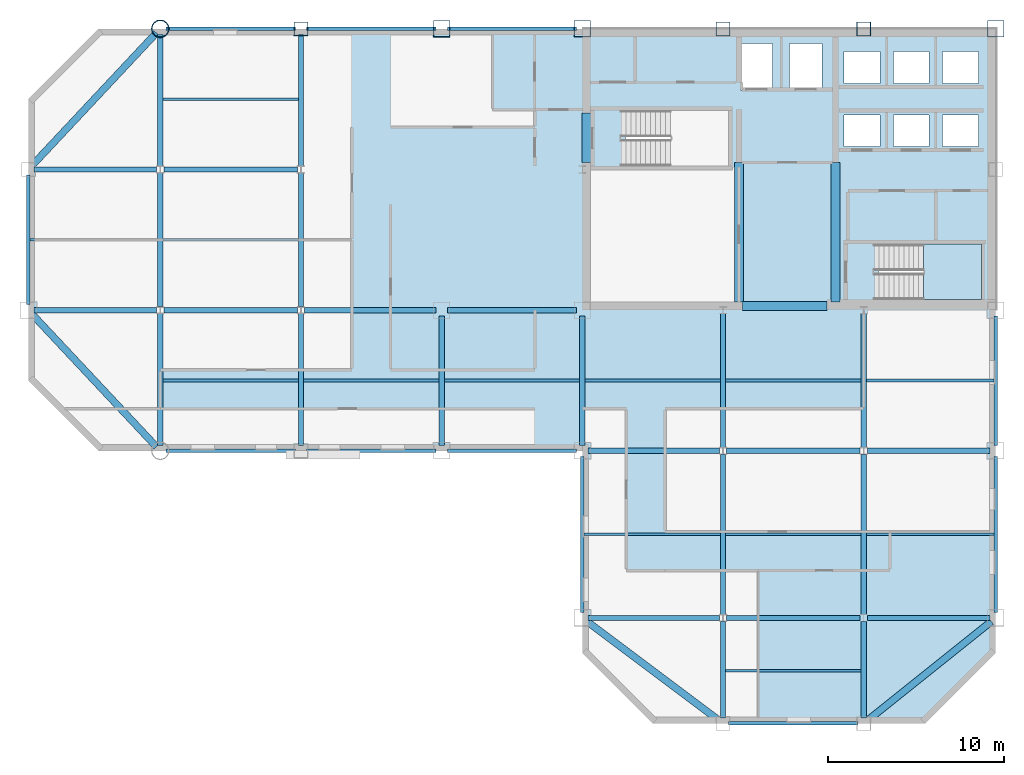
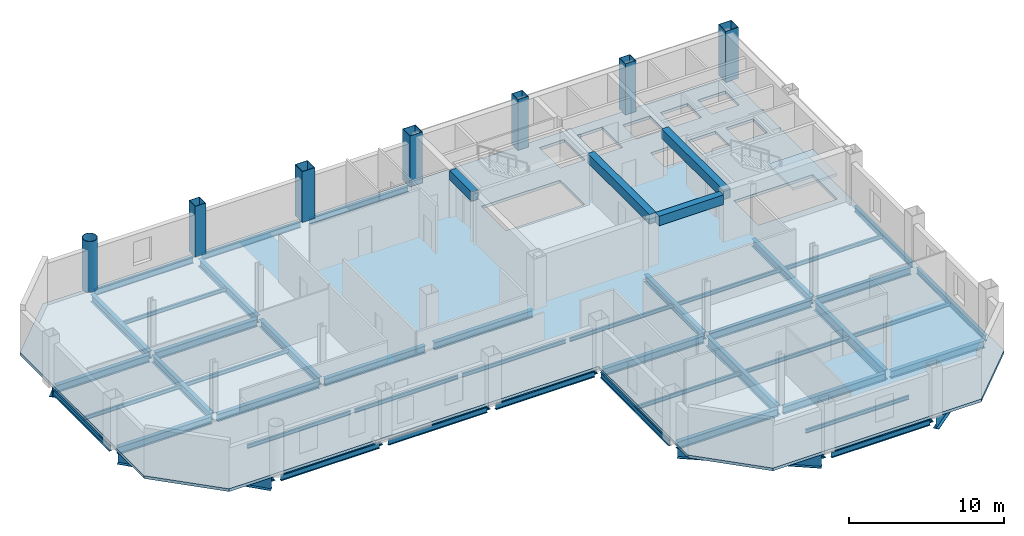
# One storey, part 3 of 10: 58 beams, 7 columns, 2 slabs, 1 element without a shape of its own.
"""IFC4 building model written with IfcOpenShell, lengths in metres."""

import ifcopenshell
import ifcopenshell.guid

model = None  # the IFC model being written
_history = None  # IfcOwnerHistory: only IFC2X3 demands one
_inside = {}  # id of a spatial element -> (the spatial element, [elements in it])
_under = {}  # id of a project, library or spatial element -> (it, [spatial elements below it])
_declared = {}  # id of a project -> (the project, [libraries it declares])
_typed = {}  # id of a type object -> (the type object, [elements of that type])
_made_of = {}  # id of a material, layer set ... -> (it, [elements and type objects made of it])


def new_model(schema):
    """Start an empty IFC model of exactly this schema.

    Asked for "IFC4X3", IfcOpenShell would pick the latest addendum, in which some entities
    have other attributes; the version numbers below select the first issue.
    IFC2X3 requires an IfcOwnerHistory on every rooted entity: one is made here for all.
    """
    global model, _history
    if schema == "IFC4X3":
        model = ifcopenshell.file(schema_version=(4, 3, 0, 0))
    else:
        model = ifcopenshell.file(schema=schema)
    _inside.clear()
    _under.clear()
    _declared.clear()
    _typed.clear()
    _made_of.clear()
    _history = None
    if model.schema == "IFC2X3":
        org = make("IfcOrganization", Name="unknown")
        user = make(
            "IfcPersonAndOrganization",
            ThePerson=make("IfcPerson", FamilyName="unknown"),
            TheOrganization=org,
        )
        app = make(
            "IfcApplication",
            ApplicationDeveloper=org,
            Version="unknown",
            ApplicationFullName="unknown",
            ApplicationIdentifier="unknown",
        )
        _history = make(
            "IfcOwnerHistory",
            OwningUser=user,
            OwningApplication=app,
            ChangeAction="ADDED",
            CreationDate=0,
        )
    return model


def make(cls, **values):
    """One entity of the class cls with the attributes given. An attribute that is None is left unset."""
    return model.create_entity(
        cls, **{name: value for name, value in values.items() if value is not None}
    )


def rooted(cls, **values):
    """An entity with a GlobalId (a new one), such as an element, a storey or a relation."""
    return make(cls, GlobalId=ifcopenshell.guid.new(), OwnerHistory=_history, **values)


def si_unit(unit_type, name, prefix=None):
    """IfcSIUnit, for example si_unit("LENGTHUNIT", "METRE", prefix="MILLI")."""
    return make("IfcSIUnit", UnitType=unit_type, Prefix=prefix, Name=name)


def assignment(units):
    """IfcUnitAssignment: the units of a project."""
    return None if units is None else make("IfcUnitAssignment", Units=units)


def point(xyz):
    """IfcCartesianPoint."""
    return None if xyz is None else make("IfcCartesianPoint", Coordinates=xyz)


def direction(xyz):
    """IfcDirection."""
    return None if xyz is None else make("IfcDirection", DirectionRatios=xyz)


def frame(location, z_axis=None, x_axis=None):
    """IfcAxis2Placement3D, a coordinate frame: its origin and axes. An axis left out is left unset."""
    return make(
        "IfcAxis2Placement3D",
        Location=point(location),
        Axis=direction(z_axis),
        RefDirection=direction(x_axis),
    )


def frame_2d(location, x_axis=None):
    """IfcAxis2Placement2D, a coordinate frame in the plane: its origin and x axis."""
    return make(
        "IfcAxis2Placement2D", Location=point(location), RefDirection=direction(x_axis)
    )


def origin():
    """The frame at (0, 0, 0) with its axes left unset."""
    return frame((0.0, 0.0, 0.0))


def origin_2d():
    """The frame at (0, 0) in the plane with its x axis left unset."""
    return frame_2d((0.0, 0.0))


def place(relative_to, where):
    """IfcLocalPlacement: puts the frame where relative to a parent placement (None: the world)."""
    return make(
        "IfcLocalPlacement", PlacementRelTo=relative_to, RelativePlacement=where
    )


def context(
    kind, dimensions, precision=None, world=None, true_north=None, identifier=None
):
    """IfcGeometricRepresentationContext, for example the 3D "Model" context."""
    return make(
        "IfcGeometricRepresentationContext",
        ContextIdentifier=identifier,
        ContextType=kind,
        CoordinateSpaceDimension=dimensions,
        Precision=precision,
        WorldCoordinateSystem=world,
        TrueNorth=true_north,
    )


def subcontext(parent, identifier, kind, view, scale=None):
    """IfcGeometricRepresentationSubContext, for example "Body" below "Model"."""
    return make(
        "IfcGeometricRepresentationSubContext",
        ContextIdentifier=identifier,
        ContextType=kind,
        ParentContext=parent,
        TargetScale=scale,
        TargetView=view,
    )


def project(units=None, contexts=None):
    """IfcProject with its units and contexts."""
    return rooted(
        "IfcProject",
        Name="project",
        RepresentationContexts=contexts,
        UnitsInContext=assignment(units),
    )


def spatial(cls, under=None, at=None, **own):
    """A site, building, storey or space (cls), placed at a placement, below another one or the project."""
    s = rooted(cls, ObjectPlacement=at, **own)
    if under is not None:
        _under.setdefault(under.id(), (under, []))[1].append(s)
    return s


def polyline(points):
    """IfcPolyline through the points."""
    return make("IfcPolyline", Points=[point(p) for p in points])


def profile(cls, at=None, kind="AREA", **sizes):
    """A parametric profile (cls). Its sizes go by their IFC names, for example OverallWidth=200.0."""
    return make(cls, ProfileType=kind, Position=at, **sizes)


def rectangle(**sizes):
    """IfcRectangleProfileDef."""
    return profile("IfcRectangleProfileDef", **sizes)


def hollow_rectangle(**sizes):
    """IfcRectangleHollowProfileDef."""
    return profile("IfcRectangleHollowProfileDef", **sizes)


def hollow_circle(**sizes):
    """IfcCircleHollowProfileDef."""
    return profile("IfcCircleHollowProfileDef", **sizes)


def i_section(**sizes):
    """IfcIShapeProfileDef."""
    return profile("IfcIShapeProfileDef", **sizes)


def outline(outer, holes=None, kind="AREA"):
    """IfcArbitraryClosedProfileDef: a profile drawn as a closed curve; with holes, ...WithVoids."""
    if holes is None:
        return make("IfcArbitraryClosedProfileDef", ProfileType=kind, OuterCurve=outer)
    return make(
        "IfcArbitraryProfileDefWithVoids",
        ProfileType=kind,
        OuterCurve=outer,
        InnerCurves=holes,
    )


def extrude(swept, where, along, depth):
    """IfcExtrudedAreaSolid: the profile swept, set in the frame where, extruded along a direction by depth."""
    return make(
        "IfcExtrudedAreaSolid",
        SweptArea=swept,
        Position=where,
        ExtrudedDirection=direction(along),
        Depth=depth,
    )


def shape(context_of_items, identifier, shape_type, items):
    """IfcShapeRepresentation: the items that make up one representation, for example the "Body"."""
    return make(
        "IfcShapeRepresentation",
        ContextOfItems=context_of_items,
        RepresentationIdentifier=identifier,
        RepresentationType=shape_type,
        Items=items,
    )


def material(Name=None, Category=None):
    """IfcMaterial."""
    return make("IfcMaterial", Name=Name, Category=Category)


def layer(
    of_material, thickness, ventilated=None, Name=None, Category=None, Priority=None
):
    """IfcMaterialLayer: one layer of a wall or slab, of a material (None: an air gap)."""
    return make(
        "IfcMaterialLayer",
        Material=of_material,
        LayerThickness=thickness,
        IsVentilated=ventilated,
        Name=Name,
        Category=Category,
        Priority=Priority,
    )


def layer_set(layers, Name=None):
    """IfcMaterialLayerSet."""
    return make("IfcMaterialLayerSet", MaterialLayers=layers, LayerSetName=Name)


def material_profile(
    of_material, cross_section, Name=None, Category=None, Priority=None
):
    """IfcMaterialProfile: a cross section and its material."""
    return make(
        "IfcMaterialProfile",
        Name=Name,
        Material=of_material,
        Profile=cross_section,
        Priority=Priority,
        Category=Category,
    )


def profile_set(profiles, Name=None, composite=None):
    """IfcMaterialProfileSet."""
    return make(
        "IfcMaterialProfileSet",
        Name=Name,
        MaterialProfiles=profiles,
        CompositeProfile=composite,
    )


def made_of(thing, what):
    """Note that an element or type object is made of a material, layer set ...; save() writes the relation."""
    if what is not None:
        _made_of.setdefault(what.id(), (what, []))[1].append(thing)
    return thing


def type_object(cls, material=None, **own):
    """A type object (cls), such as IfcWallType, which elements share."""
    return made_of(rooted(cls, **own), material)


def element(
    cls,
    number,
    at=None,
    inside=None,
    cuts=None,
    type_object=None,
    material=None,
    context=None,
    identifier="Body",
    shape_type=None,
    held_by="IfcProductDefinitionShape",
    body=None,
    shapes=None,
    **own,
):
    """One element of the class cls, such as IfcWall. Its Tag is "e" and its number.

    at: its placement. inside: the storey or other place that contains it. cuts: it is an
    opening in that element (IfcRelVoidsElement). A single representation is given by context,
    identifier, shape_type and body (its items); several are given by shapes. held_by: the class
    of the entity that holds the representations. save() writes the other relations.
    """
    e = rooted(cls, Tag="e%d" % number, ObjectPlacement=at, **own)
    if body is not None:
        shapes = [shape(context, identifier, shape_type, body)]
    if shapes is not None:
        e.Representation = make(held_by, Representations=shapes)
    if inside is not None:
        _inside.setdefault(inside.id(), (inside, []))[1].append(e)
    if cuts is not None:
        rooted(
            "IfcRelVoidsElement", RelatingBuildingElement=cuts, RelatedOpeningElement=e
        )
    if type_object is not None:
        _typed.setdefault(type_object.id(), (type_object, []))[1].append(e)
    return made_of(e, material)


def aggregate(whole, parts):
    """IfcRelAggregates: a whole, such as a stair, and the parts it consists of."""
    return rooted("IfcRelAggregates", RelatingObject=whole, RelatedObjects=parts)


def save(model, path):
    """Write the relations noted so far, then the file.

    IfcRelAggregates (storeys below a building ...), IfcRelContainedInSpatialStructure (elements
    in a storey), IfcRelDefinesByType, IfcRelAssociatesMaterial and IfcRelDeclares: one each for
    every whole, place, type object, material and project.
    """
    for whole, parts in _under.values():
        aggregate(whole, parts)
    for where, things in _inside.values():
        rooted(
            "IfcRelContainedInSpatialStructure",
            RelatedElements=things,
            RelatingStructure=where,
        )
    for kind, things in _typed.values():
        rooted("IfcRelDefinesByType", RelatedObjects=things, RelatingType=kind)
    for what, things in _made_of.values():
        rooted("IfcRelAssociatesMaterial", RelatedObjects=things, RelatingMaterial=what)
    for by, libraries in _declared.values():
        rooted("IfcRelDeclares", RelatingContext=by, RelatedDefinitions=libraries)
    model.write(path)


model = new_model("IFC4")

# Units and contexts
model_context = context("Model", 3, precision=1e-05, world=origin(), true_north=direction((0.0, 1.0)))
body_context = subcontext(model_context, "Body", "Model", "MODEL_VIEW")
ifc_project = project(units=[si_unit("LENGTHUNIT", "METRE"), si_unit("AREAUNIT", "SQUARE_METRE"), si_unit("VOLUMEUNIT", "CUBIC_METRE"), si_unit("PLANEANGLEUNIT", "RADIAN"), si_unit("MASSUNIT", "GRAM", prefix="KILO")], contexts=[model_context])

# Site, building, storey
site_placement = place(None, origin())
site = spatial("IfcSite", under=ifc_project, at=site_placement, CompositionType="ELEMENT")
building_placement = place(site_placement, origin())
building = spatial("IfcBuilding", under=site, at=building_placement, Name="Qianrong Seaharbour Tower", CompositionType="ELEMENT")
storey_placement = place(building_placement, frame((0.0, 0.0, 229.800048828125)))
storey = spatial("IfcBuildingStorey", under=building, at=storey_placement, Name="L55", CompositionType="ELEMENT", Elevation=229.800048828125)

# Columns
ifc_material_1 = material(Name="Structural steel SN490B", Category="steel")
ifc_material_profile_1 = material_profile(ifc_material_1, hollow_rectangle(XDim=0.949951171875, YDim=0.949951171875, WallThickness=0.035888671875, at=origin_2d()), Name="BOX950x950x36")
ifc_profile_set_1 = profile_set([ifc_material_profile_1], Name="Structural steel SN490B")
column_type_1 = type_object("IfcColumnType", Name="COL-CFT-950", PredefinedType="COLUMN", material=ifc_profile_set_1)
for number, where, z_axis, x_axis, name in (
    (1, (32.5, 52.0, 0.0), (0.0, 0.0, 1.0), (1.0, 0.0, 0.0), "L55 Column MC-4 at G5/GH"),
    (2, (40.5, 52.0, 0.0), (0.0, 0.0, 1.0), (1.0, 0.0, 0.0), "L55 Column MC-4 at G6/GH"),
    (3, (64.0, 52.0, 0.0), (0.0, 0.0, 1.0), (1.0, 0.0, 0.0), "L55 Column MC-4 at G9/GH"),
):
    element("IfcColumn", number, at=place(storey_placement, frame(where, z_axis=z_axis, x_axis=x_axis)), inside=storey, type_object=column_type_1, Name=name, PredefinedType="COLUMN", context=body_context, shape_type="SweptSolid", body=[
        extrude(hollow_rectangle(XDim=0.949951171875, YDim=0.949951171875, WallThickness=0.035888671875, at=origin_2d()), origin(), (0.0, 0.0, 1.0), 4.0),
    ])
ifc_material_profile_2 = material_profile(ifc_material_1, hollow_circle(Radius=0.5, WallThickness=0.035888671875, at=origin_2d()), Name="CHS1000x36")
ifc_profile_set_2 = profile_set([ifc_material_profile_2], Name="Structural steel SN490B")
column_type_2 = type_object("IfcColumnType", Name="COL-CHS-1000", PredefinedType="COLUMN", material=ifc_profile_set_2)
column_placement = place(storey_placement, frame((16.5, 52.0, 0.0), z_axis=(0.0, 0.0, 1.0), x_axis=(1.0, 0.0, 0.0)))
element("IfcColumn", 4, at=column_placement, inside=storey, type_object=column_type_2, Name="L55 Column CC-2 at G3/GH", PredefinedType="COLUMN", context=body_context, shape_type="SweptSolid", body=[
    extrude(hollow_circle(Radius=0.5, WallThickness=0.035888671875, at=origin_2d()), origin(), (0.0, 0.0, 1.0), 4.0),
])
ifc_material_profile_3 = material_profile(ifc_material_1, hollow_rectangle(XDim=0.800048828125, YDim=0.800048828125, WallThickness=0.031982421875, at=origin_2d()), Name="BOX800x800x32")
ifc_profile_set_3 = profile_set([ifc_material_profile_3], Name="Structural steel SN490B")
column_type_3 = type_object("IfcColumnType", Name="COL-PER-800", PredefinedType="COLUMN", material=ifc_profile_set_3)
for number, where, z_axis, x_axis, name in (
    (5, (24.5, 52.0, 0.0), (0.0, 0.0, 1.0), (1.0, 0.0, 0.0), "L55 Column PC-3 at G4/GH"),
    (6, (48.5, 52.0, 0.0), (0.0, 0.0, 1.0), (1.0, 0.0, 0.0), "L55 Column PC-3 at G7/GH"),
    (7, (56.5, 52.0, 0.0), (0.0, 0.0, 1.0), (1.0, 0.0, 0.0), "L55 Column PC-3 at G8/GH"),
):
    element("IfcColumn", number, at=place(storey_placement, frame(where, z_axis=z_axis, x_axis=x_axis)), inside=storey, type_object=column_type_3, Name=name, PredefinedType="COLUMN", context=body_context, shape_type="SweptSolid", body=[
        extrude(hollow_rectangle(XDim=0.800048828125, YDim=0.800048828125, WallThickness=0.031982421875, at=origin_2d()), origin(), (0.0, 0.0, 1.0), 4.0),
    ])

# Beams
ifc_material_profile_4 = material_profile(ifc_material_1, i_section(OverallWidth=0.300048828125, OverallDepth=0.587890625, WebThickness=0.011962890625, FlangeThickness=0.02001953125, FilletRadius=0.02392578125, at=origin_2d()), Name="H588x300x12x20")
ifc_profile_set_4 = profile_set([ifc_material_profile_4], Name="Structural steel SN490B")
beam_type_1 = type_object("IfcBeamType", Name="BM-G-588", PredefinedType="BEAM", material=ifc_profile_set_4)
beam_1_placement = place(storey_placement, frame((40.820068359375, 18.5, -0.51904296875), z_axis=(1.0, 0.0, 0.0), x_axis=(0.0, 1.0, 0.0)))
element("IfcBeam", 8, at=beam_1_placement, inside=storey, type_object=beam_type_1, Name="L55 Primary Girder GD G6-G7", PredefinedType="BEAM", context=body_context, shape_type="SweptSolid", body=[
    extrude(i_section(OverallWidth=0.300048828125, OverallDepth=0.587890625, WebThickness=0.011962890625, FlangeThickness=0.02001953125, FilletRadius=0.02392578125, at=origin_2d()), origin(), (0.0, 0.0, 1.0), 7.47998046875),
])
beam_2_placement = place(storey_placement, frame((48.699951171875, 18.5, -0.51904296875), z_axis=(1.0, 0.0, 0.0), x_axis=(0.0, 1.0, 0.0)))
element("IfcBeam", 9, at=beam_2_placement, inside=storey, type_object=beam_type_1, Name="L55 Primary Girder GD G7-G8", PredefinedType="BEAM", context=body_context, shape_type="SweptSolid", body=[
    extrude(i_section(OverallWidth=0.300048828125, OverallDepth=0.587890625, WebThickness=0.011962890625, FlangeThickness=0.02001953125, FilletRadius=0.02392578125, at=origin_2d()), origin(), (0.0, 0.0, 1.0), 7.60009765625),
])
beam_3_placement = place(storey_placement, frame((56.699951171875, 18.5, -0.51904296875), z_axis=(1.0, 0.0, 0.0), x_axis=(0.0, 1.0, 0.0)))
element("IfcBeam", 10, at=beam_3_placement, inside=storey, type_object=beam_type_1, Name="L55 Primary Girder GD G8-G9", PredefinedType="BEAM", context=body_context, shape_type="SweptSolid", body=[
    extrude(i_section(OverallWidth=0.300048828125, OverallDepth=0.587890625, WebThickness=0.011962890625, FlangeThickness=0.02001953125, FilletRadius=0.02392578125, at=origin_2d()), origin(), (0.0, 0.0, 1.0), 6.97998046875),
])
beam_4_placement = place(storey_placement, frame((40.820068359375, 28.0, -0.51904296875), z_axis=(1.0, 0.0, 0.0), x_axis=(0.0, 1.0, 0.0)))
element("IfcBeam", 11, at=beam_4_placement, inside=storey, type_object=beam_type_1, Name="L55 Primary Girder GE G6-G7", PredefinedType="BEAM", context=body_context, shape_type="SweptSolid", body=[
    extrude(i_section(OverallWidth=0.300048828125, OverallDepth=0.587890625, WebThickness=0.011962890625, FlangeThickness=0.02001953125, FilletRadius=0.02392578125, at=origin_2d()), origin(), (0.0, 0.0, 1.0), 7.47998046875),
])
beam_5_placement = place(storey_placement, frame((48.699951171875, 28.0, -0.51904296875), z_axis=(1.0, 0.0, 0.0), x_axis=(0.0, 1.0, 0.0)))
element("IfcBeam", 12, at=beam_5_placement, inside=storey, type_object=beam_type_1, Name="L55 Primary Girder GE G7-G8", PredefinedType="BEAM", context=body_context, shape_type="SweptSolid", body=[
    extrude(i_section(OverallWidth=0.300048828125, OverallDepth=0.587890625, WebThickness=0.011962890625, FlangeThickness=0.02001953125, FilletRadius=0.02392578125, at=origin_2d()), origin(), (0.0, 0.0, 1.0), 7.60009765625),
])
for number, where, z_axis, x_axis, name in (
    (13, (56.699951171875, 28.0, -0.51904296875), (1.0, 0.0, 0.0), (0.0, 1.0, 0.0), "L55 Primary Girder GE G8-G9"),
    (14, (9.320068359375, 36.0, -0.51904296875), (1.0, 0.0, 0.0), (0.0, 1.0, 0.0), "L55 Primary Girder GF G2-G3"),
):
    element("IfcBeam", number, at=place(storey_placement, frame(where, z_axis=z_axis, x_axis=x_axis)), inside=storey, type_object=beam_type_1, Name=name, PredefinedType="BEAM", context=body_context, shape_type="SweptSolid", body=[
        extrude(i_section(OverallWidth=0.300048828125, OverallDepth=0.587890625, WebThickness=0.011962890625, FlangeThickness=0.02001953125, FilletRadius=0.02392578125, at=origin_2d()), origin(), (0.0, 0.0, 1.0), 6.97998046875),
    ])
beam_6_placement = place(storey_placement, frame((16.699951171875, 36.0, -0.51904296875), z_axis=(1.0, 0.0, 0.0), x_axis=(0.0, 1.0, 0.0)))
element("IfcBeam", 15, at=beam_6_placement, inside=storey, type_object=beam_type_1, Name="L55 Primary Girder GF G3-G4", PredefinedType="BEAM", context=body_context, shape_type="SweptSolid", body=[
    extrude(i_section(OverallWidth=0.300048828125, OverallDepth=0.587890625, WebThickness=0.011962890625, FlangeThickness=0.02001953125, FilletRadius=0.02392578125, at=origin_2d()), origin(), (0.0, 0.0, 1.0), 7.60009765625),
])
beam_7_placement = place(storey_placement, frame((24.699951171875, 36.0, -0.51904296875), z_axis=(1.0, 0.0, 0.0), x_axis=(0.0, 1.0, 0.0)))
element("IfcBeam", 16, at=beam_7_placement, inside=storey, type_object=beam_type_1, Name="L55 Primary Girder GF G4-G5", PredefinedType="BEAM", context=body_context, shape_type="SweptSolid", body=[
    extrude(i_section(OverallWidth=0.300048828125, OverallDepth=0.587890625, WebThickness=0.011962890625, FlangeThickness=0.02001953125, FilletRadius=0.02392578125, at=origin_2d()), origin(), (0.0, 0.0, 1.0), 7.47998046875),
])
beam_8_placement = place(storey_placement, frame((32.820068359375, 36.0, -0.51904296875), z_axis=(1.0, 0.0, 0.0), x_axis=(0.0, 1.0, 0.0)))
element("IfcBeam", 17, at=beam_8_placement, inside=storey, type_object=beam_type_1, Name="L55 Primary Girder GF G5-G6", PredefinedType="BEAM", context=body_context, shape_type="SweptSolid", body=[
    extrude(i_section(OverallWidth=0.300048828125, OverallDepth=0.587890625, WebThickness=0.011962890625, FlangeThickness=0.02001953125, FilletRadius=0.02392578125, at=origin_2d()), origin(), (0.0, 0.0, 1.0), 7.35986328125),
])
beam_9_placement = place(storey_placement, frame((9.320068359375, 44.0, -0.51904296875), z_axis=(1.0, 0.0, 0.0), x_axis=(0.0, 1.0, 0.0)))
element("IfcBeam", 18, at=beam_9_placement, inside=storey, type_object=beam_type_1, Name="L55 Primary Girder GG G2-G3", PredefinedType="BEAM", context=body_context, shape_type="SweptSolid", body=[
    extrude(i_section(OverallWidth=0.300048828125, OverallDepth=0.587890625, WebThickness=0.011962890625, FlangeThickness=0.02001953125, FilletRadius=0.02392578125, at=origin_2d()), origin(), (0.0, 0.0, 1.0), 6.97998046875),
])
beam_10_placement = place(storey_placement, frame((16.699951171875, 44.0, -0.51904296875), z_axis=(1.0, 0.0, 0.0), x_axis=(0.0, 1.0, 0.0)))
element("IfcBeam", 19, at=beam_10_placement, inside=storey, type_object=beam_type_1, Name="L55 Primary Girder GG G3-G4", PredefinedType="BEAM", context=body_context, shape_type="SweptSolid", body=[
    extrude(i_section(OverallWidth=0.300048828125, OverallDepth=0.587890625, WebThickness=0.011962890625, FlangeThickness=0.02001953125, FilletRadius=0.02392578125, at=origin_2d()), origin(), (0.0, 0.0, 1.0), 7.60009765625),
])
beam_11_placement = place(storey_placement, frame((16.5, 28.320068359375, -0.51904296875), z_axis=(0.0, 1.0, 0.0), x_axis=(-1.0, 0.0, 0.0)))
element("IfcBeam", 20, at=beam_11_placement, inside=storey, type_object=beam_type_1, Name="L55 Primary Girder G3 GE-GF", PredefinedType="BEAM", context=body_context, shape_type="SweptSolid", body=[
    extrude(i_section(OverallWidth=0.300048828125, OverallDepth=0.587890625, WebThickness=0.011962890625, FlangeThickness=0.02001953125, FilletRadius=0.02392578125, at=origin_2d()), origin(), (0.0, 0.0, 1.0), 7.47998046875),
])
beam_12_placement = place(storey_placement, frame((16.5, 36.199951171875, -0.51904296875), z_axis=(0.0, 1.0, 0.0), x_axis=(-1.0, 0.0, 0.0)))
element("IfcBeam", 21, at=beam_12_placement, inside=storey, type_object=beam_type_1, Name="L55 Primary Girder G3 GF-GG", PredefinedType="BEAM", context=body_context, shape_type="SweptSolid", body=[
    extrude(i_section(OverallWidth=0.300048828125, OverallDepth=0.587890625, WebThickness=0.011962890625, FlangeThickness=0.02001953125, FilletRadius=0.02392578125, at=origin_2d()), origin(), (0.0, 0.0, 1.0), 7.60009765625),
])
for number, where, z_axis, x_axis, name in (
    (22, (16.5, 44.199951171875, -0.51904296875), (0.0, 1.0, 0.0), (-1.0, 0.0, 0.0), "L55 Primary Girder G3 GG-GH"),
    (23, (24.5, 28.320068359375, -0.51904296875), (0.0, 1.0, 0.0), (-1.0, 0.0, 0.0), "L55 Primary Girder G4 GE-GF"),
):
    element("IfcBeam", number, at=place(storey_placement, frame(where, z_axis=z_axis, x_axis=x_axis)), inside=storey, type_object=beam_type_1, Name=name, PredefinedType="BEAM", context=body_context, shape_type="SweptSolid", body=[
        extrude(i_section(OverallWidth=0.300048828125, OverallDepth=0.587890625, WebThickness=0.011962890625, FlangeThickness=0.02001953125, FilletRadius=0.02392578125, at=origin_2d()), origin(), (0.0, 0.0, 1.0), 7.47998046875),
    ])
beam_13_placement = place(storey_placement, frame((24.5, 36.199951171875, -0.51904296875), z_axis=(0.0, 1.0, 0.0), x_axis=(-1.0, 0.0, 0.0)))
element("IfcBeam", 24, at=beam_13_placement, inside=storey, type_object=beam_type_1, Name="L55 Primary Girder G4 GF-GG", PredefinedType="BEAM", context=body_context, shape_type="SweptSolid", body=[
    extrude(i_section(OverallWidth=0.300048828125, OverallDepth=0.587890625, WebThickness=0.011962890625, FlangeThickness=0.02001953125, FilletRadius=0.02392578125, at=origin_2d()), origin(), (0.0, 0.0, 1.0), 7.60009765625),
])
beam_14_placement = place(storey_placement, frame((24.5, 44.199951171875, -0.51904296875), z_axis=(0.0, 1.0, 0.0), x_axis=(-1.0, 0.0, 0.0)))
element("IfcBeam", 25, at=beam_14_placement, inside=storey, type_object=beam_type_1, Name="L55 Primary Girder G4 GG-GH", PredefinedType="BEAM", context=body_context, shape_type="SweptSolid", body=[
    extrude(i_section(OverallWidth=0.300048828125, OverallDepth=0.587890625, WebThickness=0.011962890625, FlangeThickness=0.02001953125, FilletRadius=0.02392578125, at=origin_2d()), origin(), (0.0, 0.0, 1.0), 7.47998046875),
])
for number, where, z_axis, x_axis, name in (
    (26, (32.5, 28.320068359375, -0.51904296875), (0.0, 1.0, 0.0), (-1.0, 0.0, 0.0), "L55 Primary Girder G5 GE-GF"),
    (27, (40.5, 28.320068359375, -0.51904296875), (0.0, 1.0, 0.0), (-1.0, 0.0, 0.0), "L55 Primary Girder G6 GE-GF"),
):
    element("IfcBeam", number, at=place(storey_placement, frame(where, z_axis=z_axis, x_axis=x_axis)), inside=storey, type_object=beam_type_1, Name=name, PredefinedType="BEAM", context=body_context, shape_type="SweptSolid", body=[
        extrude(i_section(OverallWidth=0.300048828125, OverallDepth=0.587890625, WebThickness=0.011962890625, FlangeThickness=0.02001953125, FilletRadius=0.02392578125, at=origin_2d()), origin(), (0.0, 0.0, 1.0), 7.35986328125),
    ])
beam_15_placement = place(storey_placement, frame((48.5, 12.820068359375, -0.51904296875), z_axis=(0.0, 1.0, 0.0), x_axis=(-1.0, 0.0, 0.0)))
element("IfcBeam", 28, at=beam_15_placement, inside=storey, type_object=beam_type_1, Name="L55 Primary Girder G7 GC-GD", PredefinedType="BEAM", context=body_context, shape_type="SweptSolid", body=[
    extrude(i_section(OverallWidth=0.300048828125, OverallDepth=0.587890625, WebThickness=0.011962890625, FlangeThickness=0.02001953125, FilletRadius=0.02392578125, at=origin_2d()), origin(), (0.0, 0.0, 1.0), 5.47998046875),
])
beam_16_placement = place(storey_placement, frame((48.5, 28.199951171875, -0.51904296875), z_axis=(0.0, 1.0, 0.0), x_axis=(-1.0, 0.0, 0.0)))
element("IfcBeam", 29, at=beam_16_placement, inside=storey, type_object=beam_type_1, Name="L55 Primary Girder G7 GE-GF", PredefinedType="BEAM", context=body_context, shape_type="SweptSolid", body=[
    extrude(i_section(OverallWidth=0.300048828125, OverallDepth=0.587890625, WebThickness=0.011962890625, FlangeThickness=0.02001953125, FilletRadius=0.02392578125, at=origin_2d()), origin(), (0.0, 0.0, 1.0), 7.60009765625),
])
beam_17_placement = place(storey_placement, frame((56.5, 12.820068359375, -0.51904296875), z_axis=(0.0, 1.0, 0.0), x_axis=(-1.0, 0.0, 0.0)))
element("IfcBeam", 30, at=beam_17_placement, inside=storey, type_object=beam_type_1, Name="L55 Primary Girder G8 GC-GD", PredefinedType="BEAM", context=body_context, shape_type="SweptSolid", body=[
    extrude(i_section(OverallWidth=0.300048828125, OverallDepth=0.587890625, WebThickness=0.011962890625, FlangeThickness=0.02001953125, FilletRadius=0.02392578125, at=origin_2d()), origin(), (0.0, 0.0, 1.0), 5.47998046875),
])
beam_18_placement = place(storey_placement, frame((56.5, 28.199951171875, -0.51904296875), z_axis=(0.0, 1.0, 0.0), x_axis=(-1.0, 0.0, 0.0)))
element("IfcBeam", 31, at=beam_18_placement, inside=storey, type_object=beam_type_1, Name="L55 Primary Girder G8 GE-GF", PredefinedType="BEAM", context=body_context, shape_type="SweptSolid", body=[
    extrude(i_section(OverallWidth=0.300048828125, OverallDepth=0.587890625, WebThickness=0.011962890625, FlangeThickness=0.02001953125, FilletRadius=0.02392578125, at=origin_2d()), origin(), (0.0, 0.0, 1.0), 7.60009765625),
])
ifc_material_profile_5 = material_profile(ifc_material_1, i_section(OverallWidth=0.300048828125, OverallDepth=0.800048828125, WebThickness=0.013916015625, FlangeThickness=0.02587890625, FilletRadius=0.028076171875, at=origin_2d()), Name="H800x300x14x26")
ifc_profile_set_5 = profile_set([ifc_material_profile_5], Name="Structural steel SN490B")
beam_type_2 = type_object("IfcBeamType", Name="BM-G-800", PredefinedType="BEAM", material=ifc_profile_set_5)
for number, where, z_axis, x_axis, name in (
    (32, (48.5, 18.699951171875, -0.625), (0.0, 1.0, 0.0), (-1.0, 0.0, 0.0), "L55 Primary Girder G7 GD-GE"),
    (33, (56.5, 18.699951171875, -0.625), (0.0, 1.0, 0.0), (-1.0, 0.0, 0.0), "L55 Primary Girder G8 GD-GE"),
):
    element("IfcBeam", number, at=place(storey_placement, frame(where, z_axis=z_axis, x_axis=x_axis)), inside=storey, type_object=beam_type_2, Name=name, PredefinedType="BEAM", context=body_context, shape_type="SweptSolid", body=[
        extrude(i_section(OverallWidth=0.300048828125, OverallDepth=0.800048828125, WebThickness=0.013916015625, FlangeThickness=0.02587890625, FilletRadius=0.028076171875, at=origin_2d()), origin(), (0.0, 0.0, 1.0), 9.10009765625),
    ])
ifc_material_2 = material(Name="Structural steel SN400B", Category="steel")
ifc_material_profile_6 = material_profile(ifc_material_2, i_section(OverallWidth=0.14990234375, OverallDepth=0.300048828125, WebThickness=0.006591796875, FlangeThickness=0.009033203125, FilletRadius=0.012939453125, at=origin_2d()), Name="H300x150x6.5x9")
ifc_profile_set_6 = profile_set([ifc_material_profile_6], Name="Structural steel SN400B")
beam_type_3 = type_object("IfcBeamType", Name="BM-J-300", PredefinedType="JOIST", material=ifc_profile_set_6)
beam_19_placement = place(storey_placement, frame((9.10009765625, 40.0, -0.375), z_axis=(1.0, 0.0, 0.0), x_axis=(0.0, 1.0, 0.0)))
element("IfcBeam", 34, at=beam_19_placement, inside=storey, type_object=beam_type_3, Name="L55 Composite Floor Joist G2-G3/GF-GG", PredefinedType="JOIST", context=body_context, shape_type="SweptSolid", body=[
    extrude(i_section(OverallWidth=0.14990234375, OverallDepth=0.300048828125, WebThickness=0.006591796875, FlangeThickness=0.009033203125, FilletRadius=0.012939453125, at=origin_2d()), origin(), (0.0, 0.0, 1.0), 7.25),
])
for number, where, z_axis, x_axis, name in (
    (35, (16.64990234375, 32.0, -0.375), (1.0, 0.0, 0.0), (0.0, 1.0, 0.0), "L55 Composite Floor Joist G3-G4/GE-GF"),
    (36, (16.64990234375, 40.0, -0.375), (1.0, 0.0, 0.0), (0.0, 1.0, 0.0), "L55 Composite Floor Joist G3-G4/GF-GG"),
    (37, (16.64990234375, 48.0, -0.375), (1.0, 0.0, 0.0), (0.0, 1.0, 0.0), "L55 Composite Floor Joist G3-G4/GG-GH"),
    (38, (24.64990234375, 32.0, -0.375), (1.0, 0.0, 0.0), (0.0, 1.0, 0.0), "L55 Composite Floor Joist G4-G5/GE-GF"),
    (39, (32.64990234375, 32.0, -0.375), (1.0, 0.0, 0.0), (0.0, 1.0, 0.0), "L55 Composite Floor Joist G5-G6/GE-GF"),
):
    element("IfcBeam", number, at=place(storey_placement, frame(where, z_axis=z_axis, x_axis=x_axis)), inside=storey, type_object=beam_type_3, Name=name, PredefinedType="JOIST", context=body_context, shape_type="SweptSolid", body=[
        extrude(i_section(OverallWidth=0.14990234375, OverallDepth=0.300048828125, WebThickness=0.006591796875, FlangeThickness=0.009033203125, FilletRadius=0.012939453125, at=origin_2d()), origin(), (0.0, 0.0, 1.0), 7.7001953125),
    ])
beam_20_placement = place(storey_placement, frame((40.60009765625, 23.25, -0.375), z_axis=(1.0, 0.0, 0.0), x_axis=(0.0, 1.0, 0.0)))
element("IfcBeam", 40, at=beam_20_placement, inside=storey, type_object=beam_type_3, Name="L55 Composite Floor Joist G6-G7/GD-GE", PredefinedType="JOIST", context=body_context, shape_type="SweptSolid", body=[
    extrude(i_section(OverallWidth=0.14990234375, OverallDepth=0.300048828125, WebThickness=0.006591796875, FlangeThickness=0.009033203125, FilletRadius=0.012939453125, at=origin_2d()), origin(), (0.0, 0.0, 1.0), 7.75),
])
for number, where, z_axis, x_axis, name in (
    (41, (40.64990234375, 32.0, -0.375), (1.0, 0.0, 0.0), (0.0, 1.0, 0.0), "L55 Composite Floor Joist G6-G7/GE-GF"),
    (42, (48.64990234375, 15.5, -0.375), (1.0, 0.0, 0.0), (0.0, 1.0, 0.0), "L55 Composite Floor Joist G7-G8/GC-GD"),
    (43, (48.64990234375, 23.25, -0.375), (1.0, 0.0, 0.0), (0.0, 1.0, 0.0), "L55 Composite Floor Joist G7-G8/GD-GE"),
    (44, (48.64990234375, 32.0, -0.375), (1.0, 0.0, 0.0), (0.0, 1.0, 0.0), "L55 Composite Floor Joist G7-G8/GE-GF"),
):
    element("IfcBeam", number, at=place(storey_placement, frame(where, z_axis=z_axis, x_axis=x_axis)), inside=storey, type_object=beam_type_3, Name=name, PredefinedType="JOIST", context=body_context, shape_type="SweptSolid", body=[
        extrude(i_section(OverallWidth=0.14990234375, OverallDepth=0.300048828125, WebThickness=0.006591796875, FlangeThickness=0.009033203125, FilletRadius=0.012939453125, at=origin_2d()), origin(), (0.0, 0.0, 1.0), 7.7001953125),
    ])
for number, where, z_axis, x_axis, name in (
    (45, (56.64990234375, 23.25, -0.375), (1.0, 0.0, 0.0), (0.0, 1.0, 0.0), "L55 Composite Floor Joist G8-G9/GD-GE"),
    (46, (56.64990234375, 32.0, -0.375), (1.0, 0.0, 0.0), (0.0, 1.0, 0.0), "L55 Composite Floor Joist G8-G9/GE-GF"),
):
    element("IfcBeam", number, at=place(storey_placement, frame(where, z_axis=z_axis, x_axis=x_axis)), inside=storey, type_object=beam_type_3, Name=name, PredefinedType="JOIST", context=body_context, shape_type="SweptSolid", body=[
        extrude(i_section(OverallWidth=0.14990234375, OverallDepth=0.300048828125, WebThickness=0.006591796875, FlangeThickness=0.009033203125, FilletRadius=0.012939453125, at=origin_2d()), origin(), (0.0, 0.0, 1.0), 7.25),
    ])
ifc_material_3 = material(Name="Concrete C60/75", Category="concrete")
ifc_material_profile_7 = material_profile(ifc_material_3, rectangle(XDim=0.5, YDim=0.75, at=origin_2d()), Name="RC500x750")
ifc_profile_set_7 = profile_set([ifc_material_profile_7], Name="Concrete C60/75")
beam_type_4 = type_object("IfcBeamType", Name="BM-LINTEL-750", PredefinedType="LINTEL", material=ifc_profile_set_7)
beam_21_placement = place(storey_placement, frame((40.72998046875, 44.39990234375, 3.39990234375), z_axis=(0.0, 1.0, 0.0), x_axis=(-1.0, 0.0, 0.0)))
element("IfcBeam", 47, at=beam_21_placement, inside=storey, type_object=beam_type_4, Name="L55 Core Coupling Lintel Beam West", PredefinedType="LINTEL", context=body_context, shape_type="SweptSolid", body=[
    extrude(rectangle(XDim=0.5, YDim=0.75, at=origin_2d()), origin(), (0.0, 0.0, 1.0), 2.800048828125),
])
beam_22_placement = place(storey_placement, frame((49.60009765625, 36.22998046875, 3.39990234375), z_axis=(1.0, 0.0, 0.0), x_axis=(0.0, 1.0, 0.0)))
element("IfcBeam", 48, at=beam_22_placement, inside=storey, type_object=beam_type_4, Name="L55 Core Coupling Lintel Beam CBC", PredefinedType="LINTEL", context=body_context, shape_type="SweptSolid", body=[
    extrude(rectangle(XDim=0.5, YDim=0.75, at=origin_2d()), origin(), (0.0, 0.0, 1.0), 4.7998046875),
])
for number, where, z_axis, x_axis, name in (
    (49, (49.39990234375, 36.4599609375, 3.39990234375), (0.0, 1.0, 0.0), (-1.0, 0.0, 0.0), "L55 Internal Core Coupling Beam IW1"),
    (50, (54.89990234375, 36.4599609375, 3.39990234375), (0.0, 1.0, 0.0), (-1.0, 0.0, 0.0), "L55 Internal Core Coupling Beam IW2"),
):
    element("IfcBeam", number, at=place(storey_placement, frame(where, z_axis=z_axis, x_axis=x_axis)), inside=storey, type_object=beam_type_4, Name=name, PredefinedType="LINTEL", context=body_context, shape_type="SweptSolid", body=[
        extrude(rectangle(XDim=0.5, YDim=0.75, at=origin_2d()), origin(), (0.0, 0.0, 1.0), 7.93994140625),
    ])
ifc_material_profile_8 = material_profile(ifc_material_2, i_section(OverallWidth=0.199951171875, OverallDepth=0.449951171875, WebThickness=0.009033203125, FlangeThickness=0.013916015625, FilletRadius=0.01806640625, at=origin_2d()), Name="H450x200x9x14")
ifc_profile_set_8 = profile_set([ifc_material_profile_8], Name="Structural steel SN400B")
beam_type_5 = type_object("IfcBeamType", Name="BM-SP-450", PredefinedType="SPANDREL", material=ifc_profile_set_8)
for number, where, z_axis, x_axis, name in (
    (51, (48.820068359375, 12.5, -0.449951171875), (1.0, 0.0, 0.0), (0.0, 1.0, 0.0), "L55 Spandrel Girder GC G7-G8"),
    (52, (16.820068359375, 28.0, -0.449951171875), (1.0, 0.0, 0.0), (0.0, 1.0, 0.0), "L55 Spandrel Girder GE G3-G4"),
    (53, (24.820068359375, 28.0, -0.449951171875), (1.0, 0.0, 0.0), (0.0, 1.0, 0.0), "L55 Spandrel Girder GE G4-G5"),
    (54, (32.820068359375, 28.0, -0.449951171875), (1.0, 0.0, 0.0), (0.0, 1.0, 0.0), "L55 Spandrel Girder GE G5-G6"),
    (55, (16.820068359375, 52.0, -0.449951171875), (1.0, 0.0, 0.0), (0.0, 1.0, 0.0), "L55 Spandrel Girder GH G3-G4"),
    (56, (24.820068359375, 52.0, -0.449951171875), (1.0, 0.0, 0.0), (0.0, 1.0, 0.0), "L55 Spandrel Girder GH G4-G5"),
    (57, (32.820068359375, 52.0, -0.449951171875), (1.0, 0.0, 0.0), (0.0, 1.0, 0.0), "L55 Spandrel Girder GH G5-G6"),
    (58, (9.0, 36.320068359375, -0.449951171875), (0.0, 1.0, 0.0), (-1.0, 0.0, 0.0), "L55 Spandrel Girder G2 GF-GG"),
):
    element("IfcBeam", number, at=place(storey_placement, frame(where, z_axis=z_axis, x_axis=x_axis)), inside=storey, type_object=beam_type_5, Name=name, PredefinedType="SPANDREL", context=body_context, shape_type="SweptSolid", body=[
        extrude(i_section(OverallWidth=0.199951171875, OverallDepth=0.449951171875, WebThickness=0.009033203125, FlangeThickness=0.013916015625, FilletRadius=0.01806640625, at=origin_2d()), origin(), (0.0, 0.0, 1.0), 7.35986328125),
    ])
for number, where, z_axis, x_axis, name in (
    (59, (40.5, 18.820068359375, -0.449951171875), (0.0, 1.0, 0.0), (-1.0, 0.0, 0.0), "L55 Spandrel Girder G6 GD-GE"),
    (60, (64.0, 18.820068359375, -0.449951171875), (0.0, 1.0, 0.0), (-1.0, 0.0, 0.0), "L55 Spandrel Girder G9 GD-GE"),
):
    element("IfcBeam", number, at=place(storey_placement, frame(where, z_axis=z_axis, x_axis=x_axis)), inside=storey, type_object=beam_type_5, Name=name, PredefinedType="SPANDREL", context=body_context, shape_type="SweptSolid", body=[
        extrude(i_section(OverallWidth=0.199951171875, OverallDepth=0.449951171875, WebThickness=0.009033203125, FlangeThickness=0.013916015625, FilletRadius=0.01806640625, at=origin_2d()), origin(), (0.0, 0.0, 1.0), 8.85986328125),
    ])
beam_23_placement = place(storey_placement, frame((64.0, 28.320068359375, -0.449951171875), z_axis=(0.0, 1.0, 0.0), x_axis=(-1.0, 0.0, 0.0)))
element("IfcBeam", 61, at=beam_23_placement, inside=storey, type_object=beam_type_5, Name="L55 Spandrel Girder G9 GE-GF", PredefinedType="SPANDREL", context=body_context, shape_type="SweptSolid", body=[
    extrude(i_section(OverallWidth=0.199951171875, OverallDepth=0.449951171875, WebThickness=0.009033203125, FlangeThickness=0.013916015625, FilletRadius=0.01806640625, at=origin_2d()), origin(), (0.0, 0.0, 1.0), 7.35986328125),
])
ifc_material_profile_9 = material_profile(ifc_material_1, i_section(OverallWidth=0.39990234375, OverallDepth=1.10009765625, WebThickness=0.02001953125, FlangeThickness=0.035888671875, at=origin_2d()), Name="BH1100x400x20x36")
ifc_profile_set_9 = profile_set([ifc_material_profile_9], Name="Structural steel SN490B")
beam_type_6 = type_object("IfcBeamType", Name="BM-TG-1100", PredefinedType="BEAM", material=ifc_profile_set_9)
for number, where, z_axis, x_axis, name in (
    (62, (16.28125, 28.2333984375, -0.775146484375), (-0.683947420573, 0.729531305628, 0.0), (-0.729531305628, -0.683947420573, 0.0), "L55 Chamfer Corner Spandrel Girder G2/GE"),
    (63, (16.28125, 51.7666015625, -0.775146484375), (-0.683947420573, -0.729531305628, 0.0), (0.729531305628, -0.683947420573, 0.0), "L55 Chamfer Corner Spandrel Girder G2/GH"),
):
    element("IfcBeam", number, at=place(storey_placement, frame(where, z_axis=z_axis, x_axis=x_axis)), inside=storey, type_object=beam_type_6, Name=name, PredefinedType="BEAM", context=body_context, shape_type="SweptSolid", body=[
        extrude(i_section(OverallWidth=0.39990234375, OverallDepth=1.10009765625, WebThickness=0.02001953125, FlangeThickness=0.035888671875, at=origin_2d()), origin(), (0.0, 0.0, 1.0), 10.326171875),
    ])
beam_24_placement = place(storey_placement, frame((48.243896484375, 12.69189453125, -0.775146484375), z_axis=(-0.799981219482, 0.600025039875, 0.0), x_axis=(-0.600025039875, -0.799981219482, 0.0)))
element("IfcBeam", 64, at=beam_24_placement, inside=storey, type_object=beam_type_6, Name="L55 Chamfer Corner Spandrel Girder G6/GC", PredefinedType="BEAM", context=body_context, shape_type="SweptSolid", body=[
    extrude(i_section(OverallWidth=0.39990234375, OverallDepth=1.10009765625, WebThickness=0.02001953125, FlangeThickness=0.035888671875, at=origin_2d()), origin(), (0.0, 0.0, 1.0), 9.35986328125),
])
beam_25_placement = place(storey_placement, frame((56.75, 12.699951171875, -0.775146484375), z_axis=(0.780863495394, 0.624701690058, 0.0), x_axis=(-0.624701690058, 0.780863495394, 0.0)))
element("IfcBeam", 65, at=beam_25_placement, inside=storey, type_object=beam_type_6, Name="L55 Chamfer Corner Spandrel Girder G9/GC", PredefinedType="BEAM", context=body_context, shape_type="SweptSolid", body=[
    extrude(i_section(OverallWidth=0.39990234375, OverallDepth=1.10009765625, WebThickness=0.02001953125, FlangeThickness=0.035888671875, at=origin_2d()), origin(), (0.0, 0.0, 1.0), 8.96435546875),
])

# Stair, slab
ifc_material_4 = material(Name="Concrete C50/60", Category="concrete")
stair_type = type_object("IfcStairType", Name="STAIR-DOGLEG-1500-R22", PredefinedType="HALF_TURN_STAIR", material=ifc_material_4)
stair_placement = place(storey_placement, origin())
stair = element("IfcStair", 66, at=stair_placement, inside=storey, type_object=stair_type, Name="L55 Protected Escape Stair ST-2", PredefinedType="HALF_TURN_STAIR")
ifc_layer_1 = layer(ifc_material_4, 0.199951171875)
ifc_layer_set_1 = layer_set([ifc_layer_1], Name="Concrete C50/60")
slab_type_1 = type_object("IfcSlabType", Name="SLAB-STAIR-LANDING-200", PredefinedType="LANDING", material=ifc_layer_set_1)
slab_1_placement = place(storey_placement, frame((0.0, 0.0, 1.800048828125)))
slab_1 = element("IfcSlab", 67, at=slab_1_placement, type_object=slab_type_1, Name="ST-2 landing 1", PredefinedType="LANDING", context=body_context, shape_type="SweptSolid", body=[
    extrude(outline(polyline([(59.89990234375, 36.60009765625), (63.199951171875, 36.60009765625), (63.199951171875, 39.75), (59.89990234375, 39.75), (59.89990234375, 36.60009765625)])), origin(), (0.0, 0.0, 1.0), 0.199951171875),
])
aggregate(stair, [slab_1])

# Slab
ifc_layer_2 = layer(ifc_material_4, 0.22509765625)
ifc_layer_set_2 = layer_set([ifc_layer_2], Name="Concrete C50/60")
slab_type_2 = type_object("IfcSlabType", Name="SLAB-Z3-225", PredefinedType="FLOOR", material=ifc_layer_set_2)
slab_2_placement = place(storey_placement, frame((0.0, 0.0, -0.22509765625)))
element("IfcSlab", 68, at=slab_2_placement, inside=storey, type_object=slab_type_2, Name="L55 Structural Floor Slab", PredefinedType="FLOOR", context=body_context, shape_type="SweptSolid", body=[
    extrude(outline(polyline([(44.5, 12.5), (60.0, 12.5), (64.0, 16.5), (64.0, 52.0), (13.0, 52.0), (9.0, 48.0), (9.0, 32.0), (13.0, 28.0), (40.5, 28.0), (40.5, 16.5), (44.5, 12.5)]), holes=[polyline([(42.93994140625, 44.199951171875), (42.93994140625, 47.35009765625), (48.800048828125, 47.35009765625), (48.800048828125, 44.199951171875), (42.93994140625, 44.199951171875)]), polyline([(57.340087890625, 36.60009765625), (57.340087890625, 39.75), (63.199951171875, 39.75), (63.199951171875, 36.60009765625), (57.340087890625, 36.60009765625)]), polyline([(49.47998046875, 48.530029296875), (49.47998046875, 51.169921875), (51.320068359375, 51.169921875), (51.320068359375, 48.530029296875), (49.47998046875, 48.530029296875)]), polyline([(52.280029296875, 48.530029296875), (52.280029296875, 51.169921875), (54.1201171875, 51.169921875), (54.1201171875, 48.530029296875), (52.280029296875, 48.530029296875)]), polyline([(55.3798828125, 45.300048828125), (55.3798828125, 47.10009765625), (57.419921875, 47.10009765625), (57.419921875, 45.300048828125), (55.3798828125, 45.300048828125)]), polyline([(58.179931640625, 45.300048828125), (58.179931640625, 47.10009765625), (60.219970703125, 47.10009765625), (60.219970703125, 45.300048828125), (58.179931640625, 45.300048828125)]), polyline([(60.97998046875, 45.300048828125), (60.97998046875, 47.10009765625), (63.02001953125, 47.10009765625), (63.02001953125, 45.300048828125), (60.97998046875, 45.300048828125)]), polyline([(55.3798828125, 48.89990234375), (55.3798828125, 50.699951171875), (57.419921875, 50.699951171875), (57.419921875, 48.89990234375), (55.3798828125, 48.89990234375)]), polyline([(58.179931640625, 48.89990234375), (58.179931640625, 50.699951171875), (60.219970703125, 50.699951171875), (60.219970703125, 48.89990234375), (58.179931640625, 48.89990234375)]), polyline([(60.97998046875, 48.89990234375), (60.97998046875, 50.699951171875), (63.02001953125, 50.699951171875), (63.02001953125, 48.89990234375), (60.97998046875, 48.89990234375)])]), origin(), (0.0, 0.0, 1.0), 0.22509765625),
])

save(model, "model.ifc")
